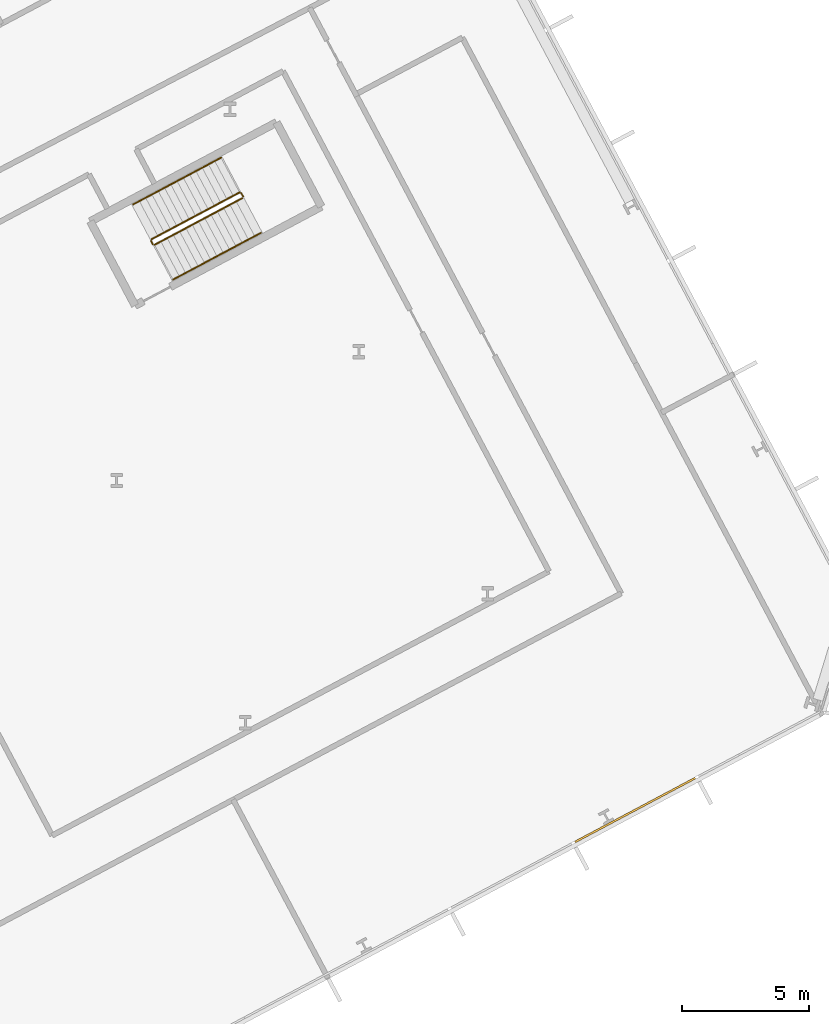
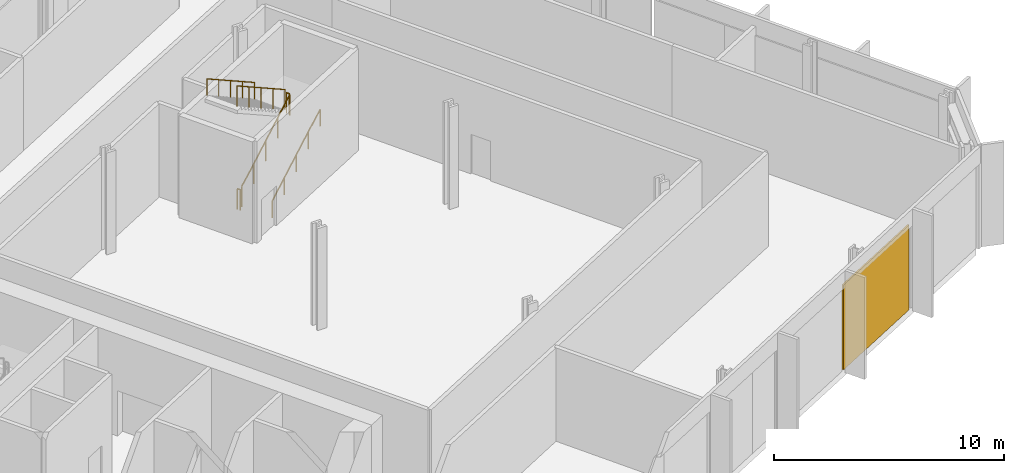
# One storey, part 30 of 32: 6 railings, 1 covering, 1 element without a shape of its own.
"""IFC4 building model written with IfcOpenShell, lengths in metres."""

from ifc_helpers import new_model, si_unit, direction, frame, origin, origin_2d, place, context, subcontext, project, spatial, polyline, rectangle, outline, extrude, material, layer, layer_set, type_object, element, aggregate, save


model = new_model("IFC4")

# Units and contexts
model_context = context("Model", 3, precision=1e-05, world=origin(), true_north=direction((0.0, 1.0)))
body_context = subcontext(model_context, "Body", "Model", "MODEL_VIEW")
ifc_project = project(units=[si_unit("LENGTHUNIT", "METRE"), si_unit("AREAUNIT", "SQUARE_METRE"), si_unit("VOLUMEUNIT", "CUBIC_METRE"), si_unit("PLANEANGLEUNIT", "RADIAN"), si_unit("MASSUNIT", "GRAM", prefix="KILO")], contexts=[model_context])

# Site, building, storey
site_placement = place(None, origin())
site = spatial("IfcSite", under=ifc_project, at=site_placement, CompositionType="ELEMENT")
building_placement = place(site_placement, origin())
building = spatial("IfcBuilding", under=site, at=building_placement, Name="Cormorant Relay Tower", CompositionType="ELEMENT")
storey_placement = place(building_placement, frame((0.0, 0.0, 17.60009765625)))
storey = spatial("IfcBuildingStorey", under=building, at=storey_placement, Name="L03", CompositionType="ELEMENT", Elevation=17.60009765625)

# Curtain wall, covering
ifc_material_1 = material(Name="Aluminium 6063-T6 anodised bronze", Category="aluminium")
ifc_layer_1 = layer(ifc_material_1, 0.235107421875)
ifc_layer_set_1 = layer_set([ifc_layer_1], Name="CW6 data hall curtain wall with mineral wool panels")
curtain_wall_type = type_object("IfcCurtainWallType", Name="CW6 data hall curtain wall with mineral wool panels", PredefinedType="NOTDEFINED", material=ifc_layer_set_1)
curtain_wall_placement = place(storey_placement, origin())
curtain_wall = element("IfcCurtainWall", 1, at=curtain_wall_placement, inside=storey, type_object=curtain_wall_type, Name="CW6 curtain wall 2", PredefinedType="NOTDEFINED")
ifc_material_2 = material(Name="Mineral wool cored anodised bronze aluminium cassette panel", Category="aluminium")
ifc_layer_2 = layer(ifc_material_2, 0.074951171875)
ifc_layer_set_2 = layer_set([ifc_layer_2], Name="CW6 mineral wool cassette panel 75")
covering_type = type_object("IfcCoveringType", Name="CW6 mineral wool cassette panel 75", PredefinedType="CLADDING", material=ifc_layer_set_2)
covering_placement = place(storey_placement, frame((63.5, 9.93701171875, 0.0), z_axis=(0.0, 0.0, 1.0), x_axis=(0.882947592859, 0.469471562786, 0.0)))
covering = element("IfcCovering", 2, at=covering_placement, type_object=covering_type, Name="CW6 panel S13", PredefinedType="CLADDING", context=body_context, shape_type="SweptSolid", body=[
    extrude(rectangle(XDim=5.36181640625, YDim=0.074951171875, at=origin_2d()), origin(), (0.0, 0.0, 1.0), 4.5),
])
aggregate(curtain_wall, [covering])

# Railings
ifc_material_3 = material(Name="Steel ASTM A572 Grade 50 (Fy 345 MPa)", Category="steel")
railing_type_1 = type_object("IfcRailingType", Name="Stair guard 1100", PredefinedType="GUARDRAIL", material=ifc_material_3)
railing_1_placement = place(storey_placement, frame((44.583740234375, 32.186279296875, 0.179931640625)))
element("IfcRailing", 3, at=railing_1_placement, inside=storey, type_object=railing_type_1, Name="L03 RB1 stair guard 1", PredefinedType="GUARDRAIL", context=body_context, shape_type="SweptSolid", body=[
    extrude(outline(polyline([(0.022216796875, 0.00927734375), (0.00927734375, 0.022216796875), (-0.00927734375, 0.022216796875), (-0.022216796875, 0.00927734375), (-0.022216796875, -0.00927734375), (-0.00927734375, -0.022216796875), (0.00927734375, -0.022216796875), (0.022216796875, -0.00927734375), (0.022216796875, 0.00927734375)])), frame((0.0, 0.0, 1.076171875), z_axis=(0.74271721126, 0.394907409077, 0.540758062681), x_axis=(-0.469469396681, 0.882948744594, 0.0)), (0.0, 0.0, 1.0), 4.66015625),
    extrude(outline(polyline([(0.019287109375, 0.008056640625), (0.008056640625, 0.019287109375), (-0.008056640625, 0.019287109375), (-0.019287109375, 0.008056640625), (-0.019287109375, -0.008056640625), (-0.008056640625, -0.019287109375), (0.008056640625, -0.019287109375), (0.019287109375, -0.008056640625), (0.019287109375, 0.008056640625)])), origin(), (0.0, 0.0, 1.0), 1.052001953125),
    extrude(outline(polyline([(0.019287109375, 0.008056640625), (0.008056640625, 0.019287109375), (-0.008056640625, 0.019287109375), (-0.019287109375, 0.008056640625), (-0.019287109375, -0.008056640625), (-0.008056640625, -0.019287109375), (0.008056640625, -0.019287109375), (0.019287109375, -0.008056640625), (0.019287109375, 0.008056640625)])), frame((0.865234375, 0.4599609375, 0.6298828125)), (0.0, 0.0, 1.0), 1.052001953125),
    extrude(outline(polyline([(0.019287109375, 0.008056640625), (0.008056640625, 0.019287109375), (-0.008056640625, 0.019287109375), (-0.019287109375, 0.008056640625), (-0.019287109375, -0.008056640625), (-0.008056640625, -0.019287109375), (0.008056640625, -0.019287109375), (0.019287109375, -0.008056640625), (0.019287109375, 0.008056640625)])), frame((1.73046875, 0.920166015625, 1.260009765625)), (0.0, 0.0, 1.0), 1.052001953125),
    extrude(outline(polyline([(0.019287109375, 0.008056640625), (0.008056640625, 0.019287109375), (-0.008056640625, 0.019287109375), (-0.019287109375, 0.008056640625), (-0.019287109375, -0.008056640625), (-0.008056640625, -0.019287109375), (0.008056640625, -0.019287109375), (0.019287109375, -0.008056640625), (0.019287109375, 0.008056640625)])), frame((2.595947265625, 1.38037109375, 1.89013671875)), (0.0, 0.0, 1.0), 1.052001953125),
    extrude(outline(polyline([(0.019287109375, 0.008056640625), (0.008056640625, 0.019287109375), (-0.008056640625, 0.019287109375), (-0.019287109375, 0.008056640625), (-0.019287109375, -0.008056640625), (-0.008056640625, -0.019287109375), (0.008056640625, -0.019287109375), (0.019287109375, -0.008056640625), (0.019287109375, 0.008056640625)])), frame((3.461181640625, 1.84033203125, 2.52001953125)), (0.0, 0.0, 1.0), 1.052001953125),
])
railing_2_placement = place(storey_placement, frame((48.065673828125, 34.09423828125, 2.699951171875)))
element("IfcRailing", 4, at=railing_2_placement, inside=storey, type_object=railing_type_1, Name="L03 RB1 stair guard 2", PredefinedType="GUARDRAIL", context=body_context, shape_type="SweptSolid", body=[
    extrude(outline(polyline([(0.022216796875, 0.00927734375), (0.00927734375, 0.022216796875), (-0.00927734375, 0.022216796875), (-0.022216796875, 0.00927734375), (-0.022216796875, -0.00927734375), (-0.00927734375, -0.022216796875), (0.00927734375, -0.022216796875), (0.022216796875, -0.00927734375), (0.022216796875, 0.00927734375)])), frame((0.0, 0.0, 1.076171875), z_axis=(-0.469828648786, 0.882757634224, 0.0), x_axis=(-0.882757634224, -0.469828648786, 0.0)), (0.0, 0.0, 1.0), 0.150146484375),
    extrude(outline(polyline([(0.019287109375, 0.008056640625), (0.008056640625, 0.019287109375), (-0.008056640625, 0.019287109375), (-0.019287109375, 0.008056640625), (-0.019287109375, -0.008056640625), (-0.008056640625, -0.019287109375), (0.008056640625, -0.019287109375), (0.019287109375, -0.008056640625), (0.019287109375, 0.008056640625)])), origin(), (0.0, 0.0, 1.0), 1.052001953125),
    extrude(outline(polyline([(0.019287109375, 0.008056640625), (0.008056640625, 0.019287109375), (-0.008056640625, 0.019287109375), (-0.019287109375, 0.008056640625), (-0.019287109375, -0.008056640625), (-0.008056640625, -0.019287109375), (0.008056640625, -0.019287109375), (0.019287109375, -0.008056640625), (0.019287109375, 0.008056640625)])), frame((-0.070556640625, 0.132568359375, 0.0)), (0.0, 0.0, 1.0), 1.052001953125),
])
railing_3_placement = place(storey_placement, frame((47.927490234375, 34.24755859375, 2.8798828125)))
element("IfcRailing", 5, at=railing_3_placement, inside=storey, type_object=railing_type_1, Name="L03 RB1 stair guard 3", PredefinedType="GUARDRAIL", context=body_context, shape_type="SweptSolid", body=[
    extrude(outline(polyline([(0.022216796875, 0.00927734375), (0.00927734375, 0.022216796875), (-0.00927734375, 0.022216796875), (-0.022216796875, 0.00927734375), (-0.022216796875, -0.00927734375), (-0.00927734375, -0.022216796875), (0.00927734375, -0.022216796875), (0.022216796875, -0.00927734375), (0.022216796875, 0.00927734375)])), frame((0.0, 0.0, 1.076171875), z_axis=(-0.74271721126, -0.394907409077, 0.540758062681), x_axis=(0.469469396681, -0.882948744594, 0.0)), (0.0, 0.0, 1.0), 4.66015625),
    extrude(outline(polyline([(0.019287109375, 0.008056640625), (0.008056640625, 0.019287109375), (-0.008056640625, 0.019287109375), (-0.019287109375, 0.008056640625), (-0.019287109375, -0.008056640625), (-0.008056640625, -0.019287109375), (0.008056640625, -0.019287109375), (0.019287109375, -0.008056640625), (0.019287109375, 0.008056640625)])), origin(), (0.0, 0.0, 1.0), 1.052001953125),
    extrude(outline(polyline([(0.019287109375, 0.008056640625), (0.008056640625, 0.019287109375), (-0.008056640625, 0.019287109375), (-0.019287109375, 0.008056640625), (-0.019287109375, -0.008056640625), (-0.008056640625, -0.019287109375), (0.008056640625, -0.019287109375), (0.019287109375, -0.008056640625), (0.019287109375, 0.008056640625)])), frame((-0.865234375, -0.4599609375, 0.6298828125)), (0.0, 0.0, 1.0), 1.052001953125),
    extrude(outline(polyline([(0.019287109375, 0.008056640625), (0.008056640625, 0.019287109375), (-0.008056640625, 0.019287109375), (-0.019287109375, 0.008056640625), (-0.019287109375, -0.008056640625), (-0.008056640625, -0.019287109375), (0.008056640625, -0.019287109375), (0.019287109375, -0.008056640625), (0.019287109375, 0.008056640625)])), frame((-1.73046875, -0.920166015625, 1.260009765625)), (0.0, 0.0, 1.0), 1.052001953125),
    extrude(outline(polyline([(0.019287109375, 0.008056640625), (0.008056640625, 0.019287109375), (-0.008056640625, 0.019287109375), (-0.019287109375, 0.008056640625), (-0.019287109375, -0.008056640625), (-0.008056640625, -0.019287109375), (0.008056640625, -0.019287109375), (0.019287109375, -0.008056640625), (0.019287109375, 0.008056640625)])), frame((-2.595947265625, -1.38037109375, 1.89013671875)), (0.0, 0.0, 1.0), 1.052001953125),
    extrude(outline(polyline([(0.019287109375, 0.008056640625), (0.008056640625, 0.019287109375), (-0.008056640625, 0.019287109375), (-0.019287109375, 0.008056640625), (-0.019287109375, -0.008056640625), (-0.008056640625, -0.019287109375), (0.008056640625, -0.019287109375), (0.019287109375, -0.008056640625), (0.019287109375, 0.008056640625)])), frame((-3.461181640625, -1.84033203125, 2.52001953125)), (0.0, 0.0, 1.0), 1.052001953125),
])
railing_4_placement = place(storey_placement, frame((44.51611328125, 32.20703125, 0.0)))
element("IfcRailing", 6, at=railing_4_placement, inside=storey, type_object=railing_type_1, Name="L03 RB1 stair guard 4", PredefinedType="GUARDRAIL", context=body_context, shape_type="SweptSolid", body=[
    extrude(outline(polyline([(0.022216796875, 0.00927734375), (0.00927734375, 0.022216796875), (-0.00927734375, 0.022216796875), (-0.022216796875, 0.00927734375), (-0.022216796875, -0.00927734375), (-0.00927734375, -0.022216796875), (0.00927734375, -0.022216796875), (0.022216796875, -0.00927734375), (0.022216796875, 0.00927734375)])), frame((0.0, 0.0, 1.076171875), z_axis=(-0.46856034887, 0.8834314911, 0.0), x_axis=(-0.8834314911, -0.46856034887, 0.0)), (0.0, 0.0, 1.0), 0.150146484375),
    extrude(outline(polyline([(0.019287109375, 0.008056640625), (0.008056640625, 0.019287109375), (-0.008056640625, 0.019287109375), (-0.019287109375, 0.008056640625), (-0.019287109375, -0.008056640625), (-0.008056640625, -0.019287109375), (0.008056640625, -0.019287109375), (0.019287109375, -0.008056640625), (0.019287109375, 0.008056640625)])), origin(), (0.0, 0.0, 1.0), 1.052001953125),
    extrude(outline(polyline([(0.019287109375, 0.008056640625), (0.008056640625, 0.019287109375), (-0.008056640625, 0.019287109375), (-0.019287109375, 0.008056640625), (-0.019287109375, -0.008056640625), (-0.008056640625, -0.019287109375), (0.008056640625, -0.019287109375), (0.019287109375, -0.008056640625), (0.019287109375, 0.008056640625)])), frame((-0.0703125, 0.132568359375, 0.0)), (0.0, 0.0, 1.0), 1.052001953125),
])
ifc_material_4 = material(Name="Steel ASTM A572 Grade 50 (Fy 345 MPa)", Category="steel")
railing_type_2 = type_object("IfcRailingType", Name="Stair handrail 900", PredefinedType="HANDRAIL", material=ifc_material_4)
railing_5_placement = place(storey_placement, frame((45.3115234375, 30.81787109375, 0.179931640625)))
element("IfcRailing", 7, at=railing_5_placement, inside=storey, type_object=railing_type_2, Name="L03 RB1 stair handrail 1", PredefinedType="HANDRAIL", context=body_context, shape_type="SweptSolid", body=[
    extrude(outline(polyline([(0.022216796875, 0.00927734375), (0.00927734375, 0.022216796875), (-0.00927734375, 0.022216796875), (-0.022216796875, 0.00927734375), (-0.022216796875, -0.00927734375), (-0.00927734375, -0.022216796875), (0.00927734375, -0.022216796875), (0.022216796875, -0.00927734375), (0.022216796875, 0.00927734375)])), frame((0.0, 0.0, 0.8759765625), z_axis=(0.74271721126, 0.394907409077, 0.540758062681), x_axis=(-0.469469396681, 0.882948744594, 0.0)), (0.0, 0.0, 1.0), 4.66015625),
    extrude(outline(polyline([(0.019287109375, 0.008056640625), (0.008056640625, 0.019287109375), (-0.008056640625, 0.019287109375), (-0.019287109375, 0.008056640625), (-0.019287109375, -0.008056640625), (-0.008056640625, -0.019287109375), (0.008056640625, -0.019287109375), (0.019287109375, -0.008056640625), (0.019287109375, 0.008056640625)])), origin(), (0.0, 0.0, 1.0), 0.851806640625),
    extrude(outline(polyline([(0.019287109375, 0.008056640625), (0.008056640625, 0.019287109375), (-0.008056640625, 0.019287109375), (-0.019287109375, 0.008056640625), (-0.019287109375, -0.008056640625), (-0.008056640625, -0.019287109375), (0.008056640625, -0.019287109375), (0.019287109375, -0.008056640625), (0.019287109375, 0.008056640625)])), frame((0.865234375, 0.4599609375, 0.6298828125)), (0.0, 0.0, 1.0), 0.851806640625),
    extrude(outline(polyline([(0.019287109375, 0.008056640625), (0.008056640625, 0.019287109375), (-0.008056640625, 0.019287109375), (-0.019287109375, 0.008056640625), (-0.019287109375, -0.008056640625), (-0.008056640625, -0.019287109375), (0.008056640625, -0.019287109375), (0.019287109375, -0.008056640625), (0.019287109375, 0.008056640625)])), frame((1.73046875, 0.920166015625, 1.260009765625)), (0.0, 0.0, 1.0), 0.851806640625),
    extrude(outline(polyline([(0.019287109375, 0.008056640625), (0.008056640625, 0.019287109375), (-0.008056640625, 0.019287109375), (-0.019287109375, 0.008056640625), (-0.019287109375, -0.008056640625), (-0.008056640625, -0.019287109375), (0.008056640625, -0.019287109375), (0.019287109375, -0.008056640625), (0.019287109375, 0.008056640625)])), frame((2.595947265625, 1.38037109375, 1.89013671875)), (0.0, 0.0, 1.0), 0.851806640625),
    extrude(outline(polyline([(0.019287109375, 0.008056640625), (0.008056640625, 0.019287109375), (-0.008056640625, 0.019287109375), (-0.019287109375, 0.008056640625), (-0.019287109375, -0.008056640625), (-0.008056640625, -0.019287109375), (0.008056640625, -0.019287109375), (0.019287109375, -0.008056640625), (0.019287109375, 0.008056640625)])), frame((3.461181640625, 1.84033203125, 2.52001953125)), (0.0, 0.0, 1.0), 0.851806640625),
])
railing_6_placement = place(storey_placement, frame((47.199951171875, 35.615966796875, 2.8798828125)))
element("IfcRailing", 8, at=railing_6_placement, inside=storey, type_object=railing_type_2, Name="L03 RB1 stair handrail 2", PredefinedType="HANDRAIL", context=body_context, shape_type="SweptSolid", body=[
    extrude(outline(polyline([(0.022216796875, 0.00927734375), (0.00927734375, 0.022216796875), (-0.00927734375, 0.022216796875), (-0.022216796875, 0.00927734375), (-0.022216796875, -0.00927734375), (-0.00927734375, -0.022216796875), (0.00927734375, -0.022216796875), (0.022216796875, -0.00927734375), (0.022216796875, 0.00927734375)])), frame((0.0, 0.0, 0.8759765625), z_axis=(-0.74271721126, -0.394907409077, 0.540758062681), x_axis=(0.469469396681, -0.882948744594, 0.0)), (0.0, 0.0, 1.0), 4.66015625),
    extrude(outline(polyline([(0.019287109375, 0.008056640625), (0.008056640625, 0.019287109375), (-0.008056640625, 0.019287109375), (-0.019287109375, 0.008056640625), (-0.019287109375, -0.008056640625), (-0.008056640625, -0.019287109375), (0.008056640625, -0.019287109375), (0.019287109375, -0.008056640625), (0.019287109375, 0.008056640625)])), origin(), (0.0, 0.0, 1.0), 0.851806640625),
    extrude(outline(polyline([(0.019287109375, 0.008056640625), (0.008056640625, 0.019287109375), (-0.008056640625, 0.019287109375), (-0.019287109375, 0.008056640625), (-0.019287109375, -0.008056640625), (-0.008056640625, -0.019287109375), (0.008056640625, -0.019287109375), (0.019287109375, -0.008056640625), (0.019287109375, 0.008056640625)])), frame((-0.865234375, -0.4599609375, 0.6298828125)), (0.0, 0.0, 1.0), 0.851806640625),
    extrude(outline(polyline([(0.019287109375, 0.008056640625), (0.008056640625, 0.019287109375), (-0.008056640625, 0.019287109375), (-0.019287109375, 0.008056640625), (-0.019287109375, -0.008056640625), (-0.008056640625, -0.019287109375), (0.008056640625, -0.019287109375), (0.019287109375, -0.008056640625), (0.019287109375, 0.008056640625)])), frame((-1.73046875, -0.920166015625, 1.260009765625)), (0.0, 0.0, 1.0), 0.851806640625),
    extrude(outline(polyline([(0.019287109375, 0.008056640625), (0.008056640625, 0.019287109375), (-0.008056640625, 0.019287109375), (-0.019287109375, 0.008056640625), (-0.019287109375, -0.008056640625), (-0.008056640625, -0.019287109375), (0.008056640625, -0.019287109375), (0.019287109375, -0.008056640625), (0.019287109375, 0.008056640625)])), frame((-2.595947265625, -1.38037109375, 1.89013671875)), (0.0, 0.0, 1.0), 0.851806640625),
    extrude(outline(polyline([(0.019287109375, 0.008056640625), (0.008056640625, 0.019287109375), (-0.008056640625, 0.019287109375), (-0.019287109375, 0.008056640625), (-0.019287109375, -0.008056640625), (-0.008056640625, -0.019287109375), (0.008056640625, -0.019287109375), (0.019287109375, -0.008056640625), (0.019287109375, 0.008056640625)])), frame((-3.461181640625, -1.84033203125, 2.52001953125)), (0.0, 0.0, 1.0), 0.851806640625),
])

save(model, "model.ifc")
